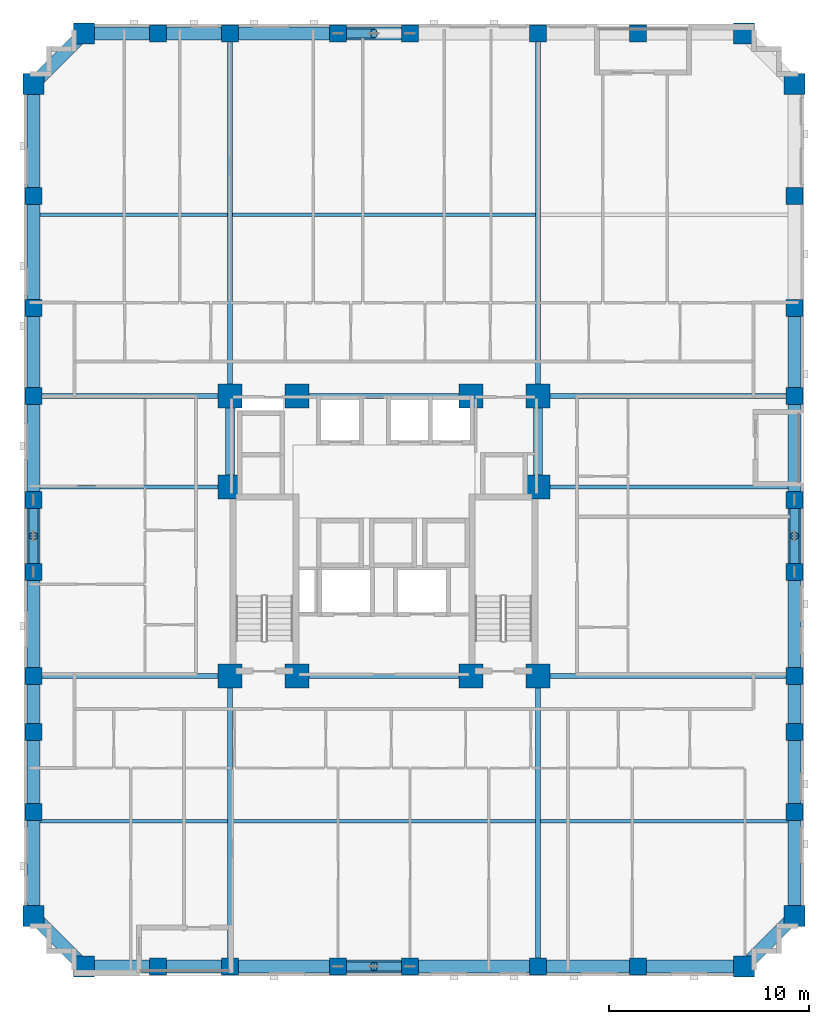
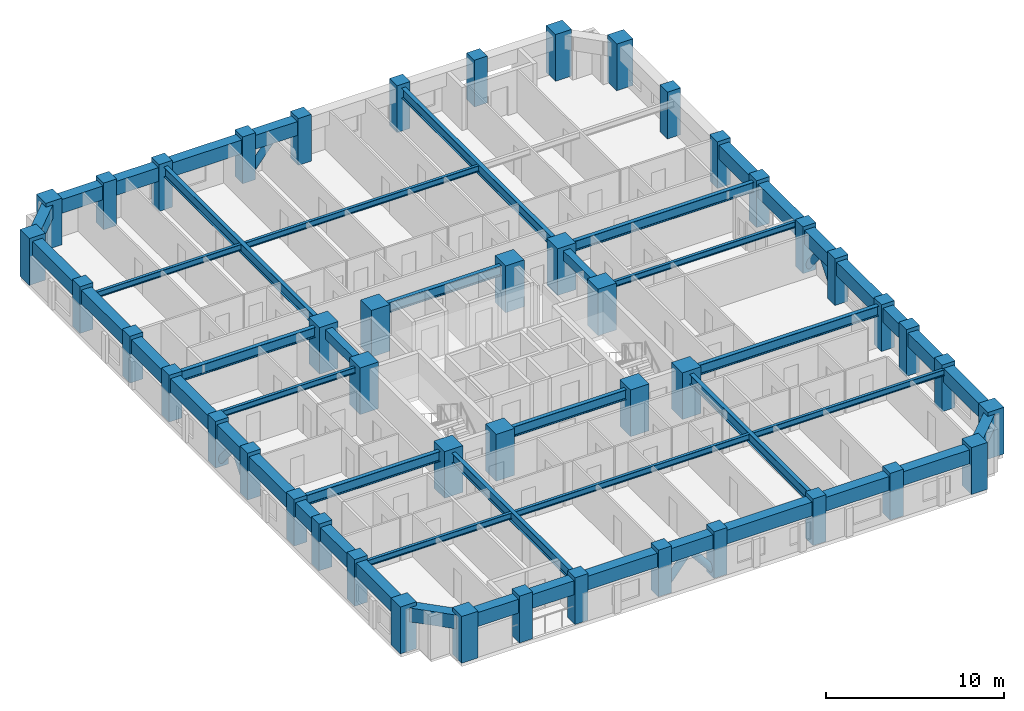
# One storey, part 1 of 14: 49 beams, 46 columns, 7 members.
"""IFC4 building model written with IfcOpenShell, lengths in metres."""

from ifc_helpers import new_model, si_unit, derived_unit, direction, frame, origin, origin_2d, place, context, subcontext, project, spatial, rectangle, hollow_circle, i_section, extrude, material, material_profile, profile_set, type_object, element, save


model = new_model("IFC4")

# Units and contexts
model_context = context("Model", 3, precision=1e-05, world=origin(), true_north=direction((0.0, 1.0)))
body_context = subcontext(model_context, "Body", "Model", "MODEL_VIEW")
ifc_project = project(units=[si_unit("LENGTHUNIT", "METRE"), si_unit("AREAUNIT", "SQUARE_METRE"), si_unit("VOLUMEUNIT", "CUBIC_METRE"), si_unit("PLANEANGLEUNIT", "RADIAN"), si_unit("MASSUNIT", "GRAM", prefix="KILO"), derived_unit("THERMALTRANSMITTANCEUNIT", [(si_unit("MASSUNIT", "GRAM", prefix="KILO"), 1), (si_unit("TIMEUNIT", "SECOND"), -3), (si_unit("THERMODYNAMICTEMPERATUREUNIT", "KELVIN"), -1)])], contexts=[model_context])

# Site, building, storey
site_placement = place(None, origin())
site = spatial("IfcSite", under=ifc_project, at=site_placement, CompositionType="ELEMENT")
building_placement = place(site_placement, origin())
building = spatial("IfcBuilding", under=site, at=building_placement, Name="Korrvale Station Residences", CompositionType="ELEMENT")
storey_placement = place(building_placement, frame((0.0, 0.0, 48.199951171875)))
storey = spatial("IfcBuildingStorey", under=building, at=storey_placement, Name="L12", CompositionType="ELEMENT", Elevation=48.199951171875)

# Columns
ifc_material_1 = material(Name="Concrete C70/85", Category="concrete")
ifc_material_profile_1 = material_profile(ifc_material_1, rectangle(XDim=1.050048828125, YDim=1.050048828125, at=origin_2d()), Name="RC1050x1050")
ifc_profile_set_1 = profile_set([ifc_material_profile_1], Name="Concrete C70/85")
column_type_1 = type_object("IfcColumnType", Name="COL-C-RC1050x1050-C7085", PredefinedType="COLUMN", material=ifc_profile_set_1)
for number, where, z_axis, x_axis, name in (
    (1, (10.5, 0.47998046875, 0.0), (0.0, 0.0, 1.0), (1.0, 0.0, 0.0), "L12 Bundled-Tube South Column 01"),
    (2, (43.5, 0.47998046875, 0.0), (0.0, 0.0, 1.0), (1.0, 0.0, 0.0), "L12 Bundled-Tube South Column 08"),
    (3, (10.5, 47.1201171875, 0.0), (0.0, 0.0, 1.0), (1.0, 0.0, 0.0), "L12 Bundled-Tube North Column 09"),
    (4, (43.5, 47.1201171875, 0.0), (0.0, 0.0, 1.0), (1.0, 0.0, 0.0), "L12 Bundled-Tube North Column 16"),
    (5, (7.97998046875, 3.0, 0.0), (0.0, 0.0, 1.0), (1.0, 0.0, 0.0), "L12 Bundled-Tube West Column 17"),
    (6, (7.97998046875, 44.60009765625, 0.0), (0.0, 0.0, 1.0), (1.0, 0.0, 0.0), "L12 Bundled-Tube West Column 26"),
    (7, (46.02001953125, 3.0, 0.0), (0.0, 0.0, 1.0), (1.0, 0.0, 0.0), "L12 Bundled-Tube East Column 27"),
    (8, (46.02001953125, 44.60009765625, 0.0), (0.0, 0.0, 1.0), (1.0, 0.0, 0.0), "L12 Bundled-Tube East Column 36"),
):
    element("IfcColumn", number, at=place(storey_placement, frame(where, z_axis=z_axis, x_axis=x_axis)), inside=storey, type_object=column_type_1, Name=name, PredefinedType="COLUMN", context=body_context, shape_type="SweptSolid", body=[
        extrude(rectangle(XDim=1.050048828125, YDim=1.050048828125, at=origin_2d()), origin(), (0.0, 0.0, 1.0), 3.199951171875),
    ])
ifc_material_profile_2 = material_profile(ifc_material_1, rectangle(XDim=1.199951171875, YDim=1.199951171875, at=origin_2d()), Name="RC1200x1200")
ifc_profile_set_2 = profile_set([ifc_material_profile_2], Name="Concrete C70/85")
column_type_2 = type_object("IfcColumnType", Name="COL-C-RC1200x1200-C7085", PredefinedType="COLUMN", material=ifc_profile_set_2)
for number, where, z_axis, x_axis, name in (
    (9, (17.800048828125, 15.0, 0.0), (0.0, 0.0, 1.0), (1.0, 0.0, 0.0), "L12 Core Column 01"),
    (10, (21.14990234375, 15.0, 0.0), (0.0, 0.0, 1.0), (1.0, 0.0, 0.0), "L12 Core Column 02"),
    (11, (29.85009765625, 15.0, 0.0), (0.0, 0.0, 1.0), (1.0, 0.0, 0.0), "L12 Core Column 03"),
    (12, (33.199951171875, 15.0, 0.0), (0.0, 0.0, 1.0), (1.0, 0.0, 0.0), "L12 Core Column 04"),
    (13, (17.800048828125, 29.0, 0.0), (0.0, 0.0, 1.0), (1.0, 0.0, 0.0), "L12 Core Column 05"),
    (14, (21.14990234375, 29.0, 0.0), (0.0, 0.0, 1.0), (1.0, 0.0, 0.0), "L12 Core Column 06"),
    (15, (29.85009765625, 29.0, 0.0), (0.0, 0.0, 1.0), (1.0, 0.0, 0.0), "L12 Core Column 07"),
    (16, (33.199951171875, 29.0, 0.0), (0.0, 0.0, 1.0), (1.0, 0.0, 0.0), "L12 Core Column 08"),
    (17, (17.800048828125, 24.449951171875, 0.0), (0.0, 0.0, 1.0), (1.0, 0.0, 0.0), "L12 Core Column 09"),
    (18, (33.199951171875, 24.449951171875, 0.0), (0.0, 0.0, 1.0), (1.0, 0.0, 0.0), "L12 Core Column 10"),
):
    element("IfcColumn", number, at=place(storey_placement, frame(where, z_axis=z_axis, x_axis=x_axis)), inside=storey, type_object=column_type_2, Name=name, PredefinedType="COLUMN", context=body_context, shape_type="SweptSolid", body=[
        extrude(rectangle(XDim=1.199951171875, YDim=1.199951171875, at=origin_2d()), origin(), (0.0, 0.0, 1.0), 3.199951171875),
    ])
ifc_material_profile_3 = material_profile(ifc_material_1, rectangle(XDim=0.85009765625, YDim=0.85009765625, at=origin_2d()), Name="RC850x850")
ifc_profile_set_3 = profile_set([ifc_material_profile_3], Name="Concrete C70/85")
column_type_3 = type_object("IfcColumnType", Name="COL-C-RC850x850-C7085", PredefinedType="COLUMN", material=ifc_profile_set_3)
for number, where, z_axis, x_axis, name in (
    (19, (14.199951171875, 0.47998046875, 0.0), (0.0, 0.0, 1.0), (1.0, 0.0, 0.0), "L12 Bundled-Tube South Column 02"),
    (20, (17.800048828125, 0.47998046875, 0.0), (0.0, 0.0, 1.0), (1.0, 0.0, 0.0), "L12 Bundled-Tube South Column 03"),
    (21, (23.199951171875, 0.47998046875, 0.0), (0.0, 0.0, 1.0), (1.0, 0.0, 0.0), "L12 Bundled-Tube South Column 04"),
    (22, (26.800048828125, 0.47998046875, 0.0), (0.0, 0.0, 1.0), (1.0, 0.0, 0.0), "L12 Bundled-Tube South Column 05"),
    (23, (33.199951171875, 0.47998046875, 0.0), (0.0, 0.0, 1.0), (1.0, 0.0, 0.0), "L12 Bundled-Tube South Column 06"),
    (24, (38.199951171875, 0.47998046875, 0.0), (0.0, 0.0, 1.0), (1.0, 0.0, 0.0), "L12 Bundled-Tube South Column 07"),
    (25, (14.199951171875, 47.1201171875, 0.0), (0.0, 0.0, 1.0), (1.0, 0.0, 0.0), "L12 Bundled-Tube North Column 10"),
    (26, (17.800048828125, 47.1201171875, 0.0), (0.0, 0.0, 1.0), (1.0, 0.0, 0.0), "L12 Bundled-Tube North Column 11"),
    (27, (23.199951171875, 47.1201171875, 0.0), (0.0, 0.0, 1.0), (1.0, 0.0, 0.0), "L12 Bundled-Tube North Column 12"),
    (28, (26.800048828125, 47.1201171875, 0.0), (0.0, 0.0, 1.0), (1.0, 0.0, 0.0), "L12 Bundled-Tube North Column 13"),
    (29, (33.199951171875, 47.1201171875, 0.0), (0.0, 0.0, 1.0), (1.0, 0.0, 0.0), "L12 Bundled-Tube North Column 14"),
    (30, (38.199951171875, 47.1201171875, 0.0), (0.0, 0.0, 1.0), (1.0, 0.0, 0.0), "L12 Bundled-Tube North Column 15"),
    (31, (7.97998046875, 8.199951171875, 0.0), (0.0, 0.0, 1.0), (1.0, 0.0, 0.0), "L12 Bundled-Tube West Column 18"),
    (32, (7.97998046875, 12.199951171875, 0.0), (0.0, 0.0, 1.0), (1.0, 0.0, 0.0), "L12 Bundled-Tube West Column 19"),
    (33, (7.97998046875, 15.0, 0.0), (0.0, 0.0, 1.0), (1.0, 0.0, 0.0), "L12 Bundled-Tube West Column 20"),
    (34, (7.97998046875, 20.199951171875, 0.0), (0.0, 0.0, 1.0), (1.0, 0.0, 0.0), "L12 Bundled-Tube West Column 21"),
    (35, (7.97998046875, 23.800048828125, 0.0), (0.0, 0.0, 1.0), (1.0, 0.0, 0.0), "L12 Bundled-Tube West Column 22"),
    (36, (7.97998046875, 29.0, 0.0), (0.0, 0.0, 1.0), (1.0, 0.0, 0.0), "L12 Bundled-Tube West Column 23"),
    (37, (7.97998046875, 33.39990234375, 0.0), (0.0, 0.0, 1.0), (1.0, 0.0, 0.0), "L12 Bundled-Tube West Column 24"),
    (38, (7.97998046875, 39.0, 0.0), (0.0, 0.0, 1.0), (1.0, 0.0, 0.0), "L12 Bundled-Tube West Column 25"),
    (39, (46.02001953125, 8.199951171875, 0.0), (0.0, 0.0, 1.0), (1.0, 0.0, 0.0), "L12 Bundled-Tube East Column 28"),
    (40, (46.02001953125, 12.199951171875, 0.0), (0.0, 0.0, 1.0), (1.0, 0.0, 0.0), "L12 Bundled-Tube East Column 29"),
    (41, (46.02001953125, 15.0, 0.0), (0.0, 0.0, 1.0), (1.0, 0.0, 0.0), "L12 Bundled-Tube East Column 30"),
    (42, (46.02001953125, 20.199951171875, 0.0), (0.0, 0.0, 1.0), (1.0, 0.0, 0.0), "L12 Bundled-Tube East Column 31"),
    (43, (46.02001953125, 23.800048828125, 0.0), (0.0, 0.0, 1.0), (1.0, 0.0, 0.0), "L12 Bundled-Tube East Column 32"),
    (44, (46.02001953125, 29.0, 0.0), (0.0, 0.0, 1.0), (1.0, 0.0, 0.0), "L12 Bundled-Tube East Column 33"),
    (45, (46.02001953125, 33.39990234375, 0.0), (0.0, 0.0, 1.0), (1.0, 0.0, 0.0), "L12 Bundled-Tube East Column 34"),
    (46, (46.02001953125, 39.0, 0.0), (0.0, 0.0, 1.0), (1.0, 0.0, 0.0), "L12 Bundled-Tube East Column 35"),
):
    element("IfcColumn", number, at=place(storey_placement, frame(where, z_axis=z_axis, x_axis=x_axis)), inside=storey, type_object=column_type_3, Name=name, PredefinedType="COLUMN", context=body_context, shape_type="SweptSolid", body=[
        extrude(rectangle(XDim=0.85009765625, YDim=0.85009765625, at=origin_2d()), origin(), (0.0, 0.0, 1.0), 3.199951171875),
    ])

# Beams
ifc_material_2 = material(Name="Steel S355", Category="steel")
ifc_material_profile_4 = material_profile(ifc_material_2, i_section(OverallWidth=0.256103515625, OverallDepth=0.693115234375, WebThickness=0.014404296875, FlangeThickness=0.023681640625, FilletRadius=0.02197265625, at=origin_2d()), Name="W690x170")
ifc_profile_set_4 = profile_set([ifc_material_profile_4], Name="Steel S355")
beam_type_1 = type_object("IfcBeamType", Name="BM-BM-W690x170-S355", PredefinedType="BEAM", material=ifc_profile_set_4)
for number, where, z_axis, x_axis, name in (
    (47, (17.800048828125, 0.47998046875, 2.593505859375), (0.0, 1.0, 0.0), (-1.0, 0.0, 0.0), "L12 Bundled-Tube Web Girder 01"),
    (48, (33.199951171875, 0.47998046875, 2.593505859375), (0.0, 1.0, 0.0), (-1.0, 0.0, 0.0), "L12 Bundled-Tube Web Girder 02"),
):
    element("IfcBeam", number, at=place(storey_placement, frame(where, z_axis=z_axis, x_axis=x_axis)), inside=storey, type_object=beam_type_1, Name=name, PredefinedType="BEAM", context=body_context, shape_type="SweptSolid", body=[
        extrude(i_section(OverallWidth=0.256103515625, OverallDepth=0.693115234375, WebThickness=0.014404296875, FlangeThickness=0.023681640625, FilletRadius=0.02197265625, at=origin_2d()), origin(), (0.0, 0.0, 1.0), 14.52001953125),
    ])
for number, where, z_axis, x_axis, name in (
    (49, (17.800048828125, 29.0, 2.593505859375), (0.0, 1.0, 0.0), (-1.0, 0.0, 0.0), "L12 Bundled-Tube Web Girder 03"),
    (50, (33.199951171875, 29.0, 2.593505859375), (0.0, 1.0, 0.0), (-1.0, 0.0, 0.0), "L12 Bundled-Tube Web Girder 04"),
):
    element("IfcBeam", number, at=place(storey_placement, frame(where, z_axis=z_axis, x_axis=x_axis)), inside=storey, type_object=beam_type_1, Name=name, PredefinedType="BEAM", context=body_context, shape_type="SweptSolid", body=[
        extrude(i_section(OverallWidth=0.256103515625, OverallDepth=0.693115234375, WebThickness=0.014404296875, FlangeThickness=0.023681640625, FilletRadius=0.02197265625, at=origin_2d()), origin(), (0.0, 0.0, 1.0), 18.1201171875),
    ])
beam_1_placement = place(storey_placement, frame((7.97998046875, 15.0, 2.593505859375), z_axis=(1.0, 0.0, 0.0), x_axis=(0.0, 1.0, 0.0)))
element("IfcBeam", 51, at=beam_1_placement, inside=storey, type_object=beam_type_1, Name="L12 Bundled-Tube Web Girder 05", PredefinedType="BEAM", context=body_context, shape_type="SweptSolid", body=[
    extrude(i_section(OverallWidth=0.256103515625, OverallDepth=0.693115234375, WebThickness=0.014404296875, FlangeThickness=0.023681640625, FilletRadius=0.02197265625, at=origin_2d()), origin(), (0.0, 0.0, 1.0), 9.820068359375),
])
beam_2_placement = place(storey_placement, frame((33.199951171875, 15.0, 2.593505859375), z_axis=(1.0, 0.0, 0.0), x_axis=(0.0, 1.0, 0.0)))
element("IfcBeam", 52, at=beam_2_placement, inside=storey, type_object=beam_type_1, Name="L12 Bundled-Tube Web Girder 06", PredefinedType="BEAM", context=body_context, shape_type="SweptSolid", body=[
    extrude(i_section(OverallWidth=0.256103515625, OverallDepth=0.693115234375, WebThickness=0.014404296875, FlangeThickness=0.023681640625, FilletRadius=0.02197265625, at=origin_2d()), origin(), (0.0, 0.0, 1.0), 12.820068359375),
])
beam_3_placement = place(storey_placement, frame((7.97998046875, 29.0, 2.593505859375), z_axis=(1.0, 0.0, 0.0), x_axis=(0.0, 1.0, 0.0)))
element("IfcBeam", 53, at=beam_3_placement, inside=storey, type_object=beam_type_1, Name="L12 Bundled-Tube Web Girder 07", PredefinedType="BEAM", context=body_context, shape_type="SweptSolid", body=[
    extrude(i_section(OverallWidth=0.256103515625, OverallDepth=0.693115234375, WebThickness=0.014404296875, FlangeThickness=0.023681640625, FilletRadius=0.02197265625, at=origin_2d()), origin(), (0.0, 0.0, 1.0), 9.820068359375),
])
beam_4_placement = place(storey_placement, frame((33.199951171875, 29.0, 2.593505859375), z_axis=(1.0, 0.0, 0.0), x_axis=(0.0, 1.0, 0.0)))
element("IfcBeam", 54, at=beam_4_placement, inside=storey, type_object=beam_type_1, Name="L12 Bundled-Tube Web Girder 08", PredefinedType="BEAM", context=body_context, shape_type="SweptSolid", body=[
    extrude(i_section(OverallWidth=0.256103515625, OverallDepth=0.693115234375, WebThickness=0.014404296875, FlangeThickness=0.023681640625, FilletRadius=0.02197265625, at=origin_2d()), origin(), (0.0, 0.0, 1.0), 12.820068359375),
])
for number, where, z_axis, x_axis, name in (
    (55, (21.14990234375, 15.0, 2.593505859375), (1.0, 0.0, 0.0), (0.0, 1.0, 0.0), "L12 Bundled-Tube Web Girder 09"),
    (56, (21.14990234375, 29.0, 2.593505859375), (1.0, 0.0, 0.0), (0.0, 1.0, 0.0), "L12 Bundled-Tube Web Girder 10"),
):
    element("IfcBeam", number, at=place(storey_placement, frame(where, z_axis=z_axis, x_axis=x_axis)), inside=storey, type_object=beam_type_1, Name=name, PredefinedType="BEAM", context=body_context, shape_type="SweptSolid", body=[
        extrude(i_section(OverallWidth=0.256103515625, OverallDepth=0.693115234375, WebThickness=0.014404296875, FlangeThickness=0.023681640625, FilletRadius=0.02197265625, at=origin_2d()), origin(), (0.0, 0.0, 1.0), 8.7001953125),
    ])
ifc_material_profile_5 = material_profile(ifc_material_2, i_section(OverallWidth=0.180908203125, OverallDepth=0.4169921875, WebThickness=0.010986328125, FlangeThickness=0.018310546875, FilletRadius=0.01611328125, at=origin_2d()), Name="W410x85")
ifc_profile_set_5 = profile_set([ifc_material_profile_5], Name="Steel S355")
beam_type_2 = type_object("IfcBeamType", Name="BM-JST-W410x85-S355", PredefinedType="JOIST", material=ifc_profile_set_5)
beam_5_placement = place(storey_placement, frame((8.304931640625, 7.739990234375, 2.7314453125), z_axis=(1.0, 0.0, 0.0), x_axis=(0.0, 1.0, 0.0)))
element("IfcBeam", 57, at=beam_5_placement, inside=storey, type_object=beam_type_2, Name="L12 Floor Framing Joist 01", PredefinedType="JOIST", context=body_context, shape_type="SweptSolid", body=[
    extrude(i_section(OverallWidth=0.180908203125, OverallDepth=0.4169921875, WebThickness=0.010986328125, FlangeThickness=0.018310546875, FilletRadius=0.01611328125, at=origin_2d()), origin(), (0.0, 0.0, 1.0), 9.3671875),
])
beam_6_placement = place(storey_placement, frame((17.927978515625, 7.739990234375, 2.7314453125), z_axis=(1.0, 0.0, 0.0), x_axis=(0.0, 1.0, 0.0)))
element("IfcBeam", 58, at=beam_6_placement, inside=storey, type_object=beam_type_2, Name="L12 Floor Framing Joist 02", PredefinedType="JOIST", context=body_context, shape_type="SweptSolid", body=[
    extrude(i_section(OverallWidth=0.180908203125, OverallDepth=0.4169921875, WebThickness=0.010986328125, FlangeThickness=0.018310546875, FilletRadius=0.01611328125, at=origin_2d()), origin(), (0.0, 0.0, 1.0), 15.14404296875),
])
beam_7_placement = place(storey_placement, frame((33.327880859375, 7.739990234375, 2.7314453125), z_axis=(1.0, 0.0, 0.0), x_axis=(0.0, 1.0, 0.0)))
element("IfcBeam", 59, at=beam_7_placement, inside=storey, type_object=beam_type_2, Name="L12 Floor Framing Joist 03", PredefinedType="JOIST", context=body_context, shape_type="SweptSolid", body=[
    extrude(i_section(OverallWidth=0.180908203125, OverallDepth=0.4169921875, WebThickness=0.010986328125, FlangeThickness=0.018310546875, FilletRadius=0.01611328125, at=origin_2d()), origin(), (0.0, 0.0, 1.0), 12.3671875),
])
beam_8_placement = place(storey_placement, frame((8.304931640625, 38.06005859375, 2.7314453125), z_axis=(1.0, 0.0, 0.0), x_axis=(0.0, 1.0, 0.0)))
element("IfcBeam", 60, at=beam_8_placement, inside=storey, type_object=beam_type_2, Name="L12 Floor Framing Joist 04", PredefinedType="JOIST", context=body_context, shape_type="SweptSolid", body=[
    extrude(i_section(OverallWidth=0.180908203125, OverallDepth=0.4169921875, WebThickness=0.010986328125, FlangeThickness=0.018310546875, FilletRadius=0.01611328125, at=origin_2d()), origin(), (0.0, 0.0, 1.0), 9.3671875),
])
beam_9_placement = place(storey_placement, frame((17.927978515625, 38.06005859375, 2.7314453125), z_axis=(1.0, 0.0, 0.0), x_axis=(0.0, 1.0, 0.0)))
element("IfcBeam", 61, at=beam_9_placement, inside=storey, type_object=beam_type_2, Name="L12 Floor Framing Joist 05", PredefinedType="JOIST", context=body_context, shape_type="SweptSolid", body=[
    extrude(i_section(OverallWidth=0.180908203125, OverallDepth=0.4169921875, WebThickness=0.010986328125, FlangeThickness=0.018310546875, FilletRadius=0.01611328125, at=origin_2d()), origin(), (0.0, 0.0, 1.0), 15.14404296875),
])
beam_10_placement = place(storey_placement, frame((33.425048828125, 24.449951171875, 2.7314453125), z_axis=(1.0, 0.0, 0.0), x_axis=(0.0, 1.0, 0.0)))
element("IfcBeam", 62, at=beam_10_placement, inside=storey, type_object=beam_type_2, Name="L12 Floor Framing Joist 07", PredefinedType="JOIST", context=body_context, shape_type="SweptSolid", body=[
    extrude(i_section(OverallWidth=0.180908203125, OverallDepth=0.4169921875, WebThickness=0.010986328125, FlangeThickness=0.018310546875, FilletRadius=0.01611328125, at=origin_2d()), origin(), (0.0, 0.0, 1.0), 12.27001953125),
])
beam_11_placement = place(storey_placement, frame((8.304931640625, 24.449951171875, 2.7314453125), z_axis=(1.0, 0.0, 0.0), x_axis=(0.0, 1.0, 0.0)))
element("IfcBeam", 63, at=beam_11_placement, inside=storey, type_object=beam_type_2, Name="L12 Floor Framing Joist 08", PredefinedType="JOIST", context=body_context, shape_type="SweptSolid", body=[
    extrude(i_section(OverallWidth=0.180908203125, OverallDepth=0.4169921875, WebThickness=0.010986328125, FlangeThickness=0.018310546875, FilletRadius=0.01611328125, at=origin_2d()), origin(), (0.0, 0.0, 1.0), 9.27001953125),
])
ifc_material_profile_6 = material_profile(ifc_material_1, rectangle(XDim=0.449951171875, YDim=0.64990234375, at=origin_2d()), Name="RCB450x650")
ifc_profile_set_6 = profile_set([ifc_material_profile_6], Name="Concrete C70/85")
beam_type_3 = type_object("IfcBeamType", Name="BM-LNT-RCB450x650-C7085", PredefinedType="LINTEL", material=ifc_profile_set_6)
for number, where, z_axis, x_axis, name in (
    (64, (17.800048828125, 24.449951171875, 2.614990234375), (0.0, 1.0, 0.0), (-1.0, 0.0, 0.0), "L12 Core Coupling Lintel 1"),
    (65, (33.199951171875, 24.449951171875, 2.614990234375), (0.0, 1.0, 0.0), (-1.0, 0.0, 0.0), "L12 Core Coupling Lintel 2"),
):
    element("IfcBeam", number, at=place(storey_placement, frame(where, z_axis=z_axis, x_axis=x_axis)), inside=storey, type_object=beam_type_3, Name=name, PredefinedType="LINTEL", context=body_context, shape_type="SweptSolid", body=[
        extrude(rectangle(XDim=0.449951171875, YDim=0.64990234375, at=origin_2d()), origin(), (0.0, 0.0, 1.0), 4.550048828125),
    ])
ifc_material_profile_7 = material_profile(ifc_material_1, rectangle(XDim=0.64990234375, YDim=0.949951171875, at=origin_2d()), Name="RCB650x950")
ifc_profile_set_7 = profile_set([ifc_material_profile_7], Name="Concrete C70/85")
beam_type_4 = type_object("IfcBeamType", Name="BM-SPB-RCB650x950-C7085", PredefinedType="SPANDREL", material=ifc_profile_set_7)
beam_12_placement = place(storey_placement, frame((10.5, 0.47998046875, 2.465087890625), z_axis=(1.0, 0.0, 0.0), x_axis=(0.0, 1.0, 0.0)))
element("IfcBeam", 66, at=beam_12_placement, inside=storey, type_object=beam_type_4, Name="L12 South Tube Spandrel 01", PredefinedType="SPANDREL", context=body_context, shape_type="SweptSolid", body=[
    extrude(rectangle(XDim=0.64990234375, YDim=0.949951171875, at=origin_2d()), origin(), (0.0, 0.0, 1.0), 3.699951171875),
])
beam_13_placement = place(storey_placement, frame((14.199951171875, 0.47998046875, 2.465087890625), z_axis=(1.0, 0.0, 0.0), x_axis=(0.0, 1.0, 0.0)))
element("IfcBeam", 67, at=beam_13_placement, inside=storey, type_object=beam_type_4, Name="L12 South Tube Spandrel 02", PredefinedType="SPANDREL", context=body_context, shape_type="SweptSolid", body=[
    extrude(rectangle(XDim=0.64990234375, YDim=0.949951171875, at=origin_2d()), origin(), (0.0, 0.0, 1.0), 3.60009765625),
])
beam_14_placement = place(storey_placement, frame((17.800048828125, 0.47998046875, 2.465087890625), z_axis=(1.0, 0.0, 0.0), x_axis=(0.0, 1.0, 0.0)))
element("IfcBeam", 68, at=beam_14_placement, inside=storey, type_object=beam_type_4, Name="L12 South Tube Spandrel 03", PredefinedType="SPANDREL", context=body_context, shape_type="SweptSolid", body=[
    extrude(rectangle(XDim=0.64990234375, YDim=0.949951171875, at=origin_2d()), origin(), (0.0, 0.0, 1.0), 5.39990234375),
])
beam_15_placement = place(storey_placement, frame((23.199951171875, 0.47998046875, 2.465087890625), z_axis=(1.0, 0.0, 0.0), x_axis=(0.0, 1.0, 0.0)))
element("IfcBeam", 69, at=beam_15_placement, inside=storey, type_object=beam_type_4, Name="L12 South Tube Spandrel 04", PredefinedType="SPANDREL", context=body_context, shape_type="SweptSolid", body=[
    extrude(rectangle(XDim=0.64990234375, YDim=0.949951171875, at=origin_2d()), origin(), (0.0, 0.0, 1.0), 3.60009765625),
])
beam_16_placement = place(storey_placement, frame((26.800048828125, 0.47998046875, 2.465087890625), z_axis=(1.0, 0.0, 0.0), x_axis=(0.0, 1.0, 0.0)))
element("IfcBeam", 70, at=beam_16_placement, inside=storey, type_object=beam_type_4, Name="L12 South Tube Spandrel 05", PredefinedType="SPANDREL", context=body_context, shape_type="SweptSolid", body=[
    extrude(rectangle(XDim=0.64990234375, YDim=0.949951171875, at=origin_2d()), origin(), (0.0, 0.0, 1.0), 6.39990234375),
])
beam_17_placement = place(storey_placement, frame((33.199951171875, 0.47998046875, 2.465087890625), z_axis=(1.0, 0.0, 0.0), x_axis=(0.0, 1.0, 0.0)))
element("IfcBeam", 71, at=beam_17_placement, inside=storey, type_object=beam_type_4, Name="L12 South Tube Spandrel 06", PredefinedType="SPANDREL", context=body_context, shape_type="SweptSolid", body=[
    extrude(rectangle(XDim=0.64990234375, YDim=0.949951171875, at=origin_2d()), origin(), (0.0, 0.0, 1.0), 5.0),
])
beam_18_placement = place(storey_placement, frame((38.199951171875, 0.47998046875, 2.465087890625), z_axis=(1.0, 0.0, 0.0), x_axis=(0.0, 1.0, 0.0)))
element("IfcBeam", 72, at=beam_18_placement, inside=storey, type_object=beam_type_4, Name="L12 South Tube Spandrel 07", PredefinedType="SPANDREL", context=body_context, shape_type="SweptSolid", body=[
    extrude(rectangle(XDim=0.64990234375, YDim=0.949951171875, at=origin_2d()), origin(), (0.0, 0.0, 1.0), 5.300048828125),
])
beam_19_placement = place(storey_placement, frame((10.5, 47.1201171875, 2.465087890625), z_axis=(1.0, 0.0, 0.0), x_axis=(0.0, 1.0, 0.0)))
element("IfcBeam", 73, at=beam_19_placement, inside=storey, type_object=beam_type_4, Name="L12 North Tube Spandrel 08", PredefinedType="SPANDREL", context=body_context, shape_type="SweptSolid", body=[
    extrude(rectangle(XDim=0.64990234375, YDim=0.949951171875, at=origin_2d()), origin(), (0.0, 0.0, 1.0), 3.699951171875),
])
beam_20_placement = place(storey_placement, frame((14.199951171875, 47.1201171875, 2.465087890625), z_axis=(1.0, 0.0, 0.0), x_axis=(0.0, 1.0, 0.0)))
element("IfcBeam", 74, at=beam_20_placement, inside=storey, type_object=beam_type_4, Name="L12 North Tube Spandrel 09", PredefinedType="SPANDREL", context=body_context, shape_type="SweptSolid", body=[
    extrude(rectangle(XDim=0.64990234375, YDim=0.949951171875, at=origin_2d()), origin(), (0.0, 0.0, 1.0), 3.60009765625),
])
beam_21_placement = place(storey_placement, frame((17.800048828125, 47.1201171875, 2.465087890625), z_axis=(1.0, 0.0, 0.0), x_axis=(0.0, 1.0, 0.0)))
element("IfcBeam", 75, at=beam_21_placement, inside=storey, type_object=beam_type_4, Name="L12 North Tube Spandrel 10", PredefinedType="SPANDREL", context=body_context, shape_type="SweptSolid", body=[
    extrude(rectangle(XDim=0.64990234375, YDim=0.949951171875, at=origin_2d()), origin(), (0.0, 0.0, 1.0), 5.39990234375),
])
beam_22_placement = place(storey_placement, frame((23.199951171875, 47.1201171875, 2.465087890625), z_axis=(1.0, 0.0, 0.0), x_axis=(0.0, 1.0, 0.0)))
element("IfcBeam", 76, at=beam_22_placement, inside=storey, type_object=beam_type_4, Name="L12 North Tube Spandrel 11", PredefinedType="SPANDREL", context=body_context, shape_type="SweptSolid", body=[
    extrude(rectangle(XDim=0.64990234375, YDim=0.949951171875, at=origin_2d()), origin(), (0.0, 0.0, 1.0), 3.60009765625),
])
beam_23_placement = place(storey_placement, frame((7.97998046875, 3.0, 2.465087890625), z_axis=(0.0, 1.0, 0.0), x_axis=(-1.0, 0.0, 0.0)))
element("IfcBeam", 77, at=beam_23_placement, inside=storey, type_object=beam_type_4, Name="L12 West Tube Spandrel 15", PredefinedType="SPANDREL", context=body_context, shape_type="SweptSolid", body=[
    extrude(rectangle(XDim=0.64990234375, YDim=0.949951171875, at=origin_2d()), origin(), (0.0, 0.0, 1.0), 5.199951171875),
])
beam_24_placement = place(storey_placement, frame((7.97998046875, 8.199951171875, 2.465087890625), z_axis=(0.0, 1.0, 0.0), x_axis=(-1.0, 0.0, 0.0)))
element("IfcBeam", 78, at=beam_24_placement, inside=storey, type_object=beam_type_4, Name="L12 West Tube Spandrel 16", PredefinedType="SPANDREL", context=body_context, shape_type="SweptSolid", body=[
    extrude(rectangle(XDim=0.64990234375, YDim=0.949951171875, at=origin_2d()), origin(), (0.0, 0.0, 1.0), 4.0),
])
beam_25_placement = place(storey_placement, frame((7.97998046875, 12.199951171875, 2.465087890625), z_axis=(0.0, 1.0, 0.0), x_axis=(-1.0, 0.0, 0.0)))
element("IfcBeam", 79, at=beam_25_placement, inside=storey, type_object=beam_type_4, Name="L12 West Tube Spandrel 17", PredefinedType="SPANDREL", context=body_context, shape_type="SweptSolid", body=[
    extrude(rectangle(XDim=0.64990234375, YDim=0.949951171875, at=origin_2d()), origin(), (0.0, 0.0, 1.0), 2.800048828125),
])
beam_26_placement = place(storey_placement, frame((7.97998046875, 15.0, 2.465087890625), z_axis=(0.0, 1.0, 0.0), x_axis=(-1.0, 0.0, 0.0)))
element("IfcBeam", 80, at=beam_26_placement, inside=storey, type_object=beam_type_4, Name="L12 West Tube Spandrel 18", PredefinedType="SPANDREL", context=body_context, shape_type="SweptSolid", body=[
    extrude(rectangle(XDim=0.64990234375, YDim=0.949951171875, at=origin_2d()), origin(), (0.0, 0.0, 1.0), 5.199951171875),
])
beam_27_placement = place(storey_placement, frame((7.97998046875, 20.199951171875, 2.465087890625), z_axis=(0.0, 1.0, 0.0), x_axis=(-1.0, 0.0, 0.0)))
element("IfcBeam", 81, at=beam_27_placement, inside=storey, type_object=beam_type_4, Name="L12 West Tube Spandrel 19", PredefinedType="SPANDREL", context=body_context, shape_type="SweptSolid", body=[
    extrude(rectangle(XDim=0.64990234375, YDim=0.949951171875, at=origin_2d()), origin(), (0.0, 0.0, 1.0), 3.60009765625),
])
beam_28_placement = place(storey_placement, frame((7.97998046875, 23.800048828125, 2.465087890625), z_axis=(0.0, 1.0, 0.0), x_axis=(-1.0, 0.0, 0.0)))
element("IfcBeam", 82, at=beam_28_placement, inside=storey, type_object=beam_type_4, Name="L12 West Tube Spandrel 20", PredefinedType="SPANDREL", context=body_context, shape_type="SweptSolid", body=[
    extrude(rectangle(XDim=0.64990234375, YDim=0.949951171875, at=origin_2d()), origin(), (0.0, 0.0, 1.0), 5.199951171875),
])
beam_29_placement = place(storey_placement, frame((7.97998046875, 29.0, 2.465087890625), z_axis=(0.0, 1.0, 0.0), x_axis=(-1.0, 0.0, 0.0)))
element("IfcBeam", 83, at=beam_29_placement, inside=storey, type_object=beam_type_4, Name="L12 West Tube Spandrel 21", PredefinedType="SPANDREL", context=body_context, shape_type="SweptSolid", body=[
    extrude(rectangle(XDim=0.64990234375, YDim=0.949951171875, at=origin_2d()), origin(), (0.0, 0.0, 1.0), 4.39990234375),
])
for number, where, z_axis, x_axis, name in (
    (84, (7.97998046875, 33.39990234375, 2.465087890625), (0.0, 1.0, 0.0), (-1.0, 0.0, 0.0), "L12 West Tube Spandrel 22"),
    (85, (7.97998046875, 39.0, 2.465087890625), (0.0, 1.0, 0.0), (-1.0, 0.0, 0.0), "L12 West Tube Spandrel 23"),
):
    element("IfcBeam", number, at=place(storey_placement, frame(where, z_axis=z_axis, x_axis=x_axis)), inside=storey, type_object=beam_type_4, Name=name, PredefinedType="SPANDREL", context=body_context, shape_type="SweptSolid", body=[
        extrude(rectangle(XDim=0.64990234375, YDim=0.949951171875, at=origin_2d()), origin(), (0.0, 0.0, 1.0), 5.60009765625),
    ])
beam_30_placement = place(storey_placement, frame((46.02001953125, 3.0, 2.465087890625), z_axis=(0.0, 1.0, 0.0), x_axis=(-1.0, 0.0, 0.0)))
element("IfcBeam", 86, at=beam_30_placement, inside=storey, type_object=beam_type_4, Name="L12 East Tube Spandrel 24", PredefinedType="SPANDREL", context=body_context, shape_type="SweptSolid", body=[
    extrude(rectangle(XDim=0.64990234375, YDim=0.949951171875, at=origin_2d()), origin(), (0.0, 0.0, 1.0), 5.199951171875),
])
beam_31_placement = place(storey_placement, frame((46.02001953125, 8.199951171875, 2.465087890625), z_axis=(0.0, 1.0, 0.0), x_axis=(-1.0, 0.0, 0.0)))
element("IfcBeam", 87, at=beam_31_placement, inside=storey, type_object=beam_type_4, Name="L12 East Tube Spandrel 25", PredefinedType="SPANDREL", context=body_context, shape_type="SweptSolid", body=[
    extrude(rectangle(XDim=0.64990234375, YDim=0.949951171875, at=origin_2d()), origin(), (0.0, 0.0, 1.0), 4.0),
])
beam_32_placement = place(storey_placement, frame((46.02001953125, 12.199951171875, 2.465087890625), z_axis=(0.0, 1.0, 0.0), x_axis=(-1.0, 0.0, 0.0)))
element("IfcBeam", 88, at=beam_32_placement, inside=storey, type_object=beam_type_4, Name="L12 East Tube Spandrel 26", PredefinedType="SPANDREL", context=body_context, shape_type="SweptSolid", body=[
    extrude(rectangle(XDim=0.64990234375, YDim=0.949951171875, at=origin_2d()), origin(), (0.0, 0.0, 1.0), 2.800048828125),
])
beam_33_placement = place(storey_placement, frame((46.02001953125, 15.0, 2.465087890625), z_axis=(0.0, 1.0, 0.0), x_axis=(-1.0, 0.0, 0.0)))
element("IfcBeam", 89, at=beam_33_placement, inside=storey, type_object=beam_type_4, Name="L12 East Tube Spandrel 27", PredefinedType="SPANDREL", context=body_context, shape_type="SweptSolid", body=[
    extrude(rectangle(XDim=0.64990234375, YDim=0.949951171875, at=origin_2d()), origin(), (0.0, 0.0, 1.0), 5.199951171875),
])
beam_34_placement = place(storey_placement, frame((46.02001953125, 20.199951171875, 2.465087890625), z_axis=(0.0, 1.0, 0.0), x_axis=(-1.0, 0.0, 0.0)))
element("IfcBeam", 90, at=beam_34_placement, inside=storey, type_object=beam_type_4, Name="L12 East Tube Spandrel 28", PredefinedType="SPANDREL", context=body_context, shape_type="SweptSolid", body=[
    extrude(rectangle(XDim=0.64990234375, YDim=0.949951171875, at=origin_2d()), origin(), (0.0, 0.0, 1.0), 3.60009765625),
])
beam_35_placement = place(storey_placement, frame((46.02001953125, 23.800048828125, 2.465087890625), z_axis=(0.0, 1.0, 0.0), x_axis=(-1.0, 0.0, 0.0)))
element("IfcBeam", 91, at=beam_35_placement, inside=storey, type_object=beam_type_4, Name="L12 East Tube Spandrel 29", PredefinedType="SPANDREL", context=body_context, shape_type="SweptSolid", body=[
    extrude(rectangle(XDim=0.64990234375, YDim=0.949951171875, at=origin_2d()), origin(), (0.0, 0.0, 1.0), 5.199951171875),
])
beam_36_placement = place(storey_placement, frame((46.02001953125, 29.0, 2.465087890625), z_axis=(0.0, 1.0, 0.0), x_axis=(-1.0, 0.0, 0.0)))
element("IfcBeam", 92, at=beam_36_placement, inside=storey, type_object=beam_type_4, Name="L12 East Tube Spandrel 30", PredefinedType="SPANDREL", context=body_context, shape_type="SweptSolid", body=[
    extrude(rectangle(XDim=0.64990234375, YDim=0.949951171875, at=origin_2d()), origin(), (0.0, 0.0, 1.0), 4.39990234375),
])
for number, where, z_axis, x_axis, name in (
    (93, (10.5, 0.47998046875, 2.465087890625), (-0.707106781187, 0.707106781187, 0.0), (-0.707106781187, -0.707106781187, 0.0), "L12 Serrated Corner Spandrel 33"),
    (94, (43.5, 0.47998046875, 2.465087890625), (0.707106781187, 0.707106781187, 0.0), (-0.707106781187, 0.707106781187, 0.0), "L12 Serrated Corner Spandrel 34"),
    (95, (10.5, 47.1201171875, 2.465087890625), (-0.707106781187, -0.707106781187, 0.0), (0.707106781187, -0.707106781187, 0.0), "L12 Serrated Corner Spandrel 36"),
):
    element("IfcBeam", number, at=place(storey_placement, frame(where, z_axis=z_axis, x_axis=x_axis)), inside=storey, type_object=beam_type_4, Name=name, PredefinedType="SPANDREL", context=body_context, shape_type="SweptSolid", body=[
        extrude(rectangle(XDim=0.64990234375, YDim=0.949951171875, at=origin_2d()), origin(), (0.0, 0.0, 1.0), 3.56396484375),
    ])

# Members
ifc_material_profile_8 = material_profile(ifc_material_2, hollow_circle(Radius=0.228515625, WallThickness=0.01904296875, at=origin_2d()), Name="HSS457x19")
ifc_profile_set_8 = profile_set([ifc_material_profile_8], Name="Steel S355")
member_type = type_object("IfcMemberType", Name="MBR-BR-HSS457x19", PredefinedType="BRACE", material=ifc_profile_set_8)
for number, where, z_axis, x_axis, name in (
    (96, (23.199951171875, 0.47998046875, 0.02001953125), (0.634985494602, 0.0, 0.772524058942), (0.0, 1.0, 0.0), "L12 S Perimeter Tube Wind Brace 1"),
    (97, (26.800048828125, 0.47998046875, 0.02001953125), (-0.634985494602, 0.0, 0.772524058942), (0.0, -1.0, 0.0), "L12 S Perimeter Tube Wind Brace 2"),
    (98, (23.199951171875, 47.1201171875, 0.02001953125), (0.634985494602, 0.0, 0.772524058942), (0.0, 1.0, 0.0), "L12 N Perimeter Tube Wind Brace 1"),
    (99, (7.97998046875, 20.199951171875, 0.02001953125), (0.0, 0.634985494602, 0.772524058942), (-1.0, 0.0, 0.0), "L12 W Perimeter Tube Wind Brace 1"),
    (100, (7.97998046875, 23.800048828125, 0.02001953125), (0.0, -0.634985494602, 0.772524058942), (1.0, 0.0, 0.0), "L12 W Perimeter Tube Wind Brace 2"),
    (101, (46.02001953125, 20.199951171875, 0.02001953125), (0.0, 0.634985494602, 0.772524058942), (-1.0, 0.0, 0.0), "L12 E Perimeter Tube Wind Brace 1"),
    (102, (46.02001953125, 23.800048828125, 0.02001953125), (0.0, -0.634985494602, 0.772524058942), (1.0, 0.0, 0.0), "L12 E Perimeter Tube Wind Brace 2"),
):
    element("IfcMember", number, at=place(storey_placement, frame(where, z_axis=z_axis, x_axis=x_axis)), inside=storey, type_object=member_type, Name=name, PredefinedType="BRACE", context=body_context, shape_type="SweptSolid", body=[
        extrude(hollow_circle(Radius=0.228515625, WallThickness=0.01904296875, at=origin_2d()), origin(), (0.0, 0.0, 1.0), 2.834716796875),
    ])

save(model, "model.ifc")
